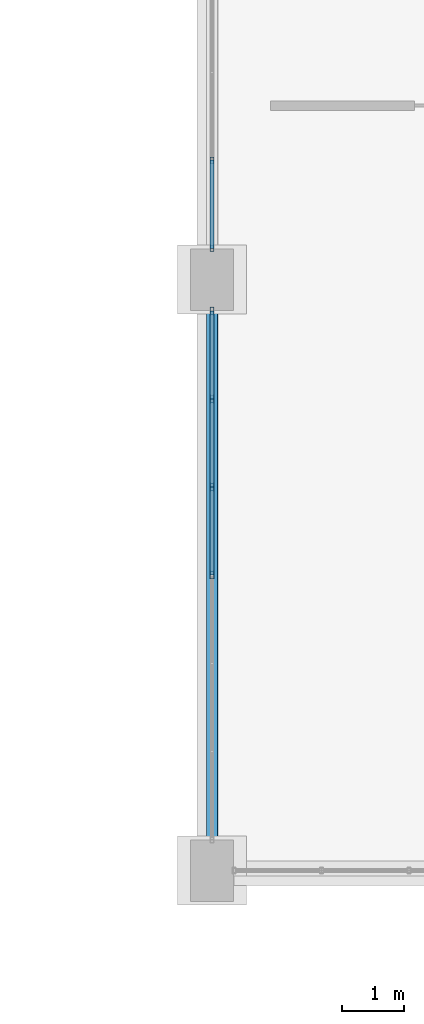
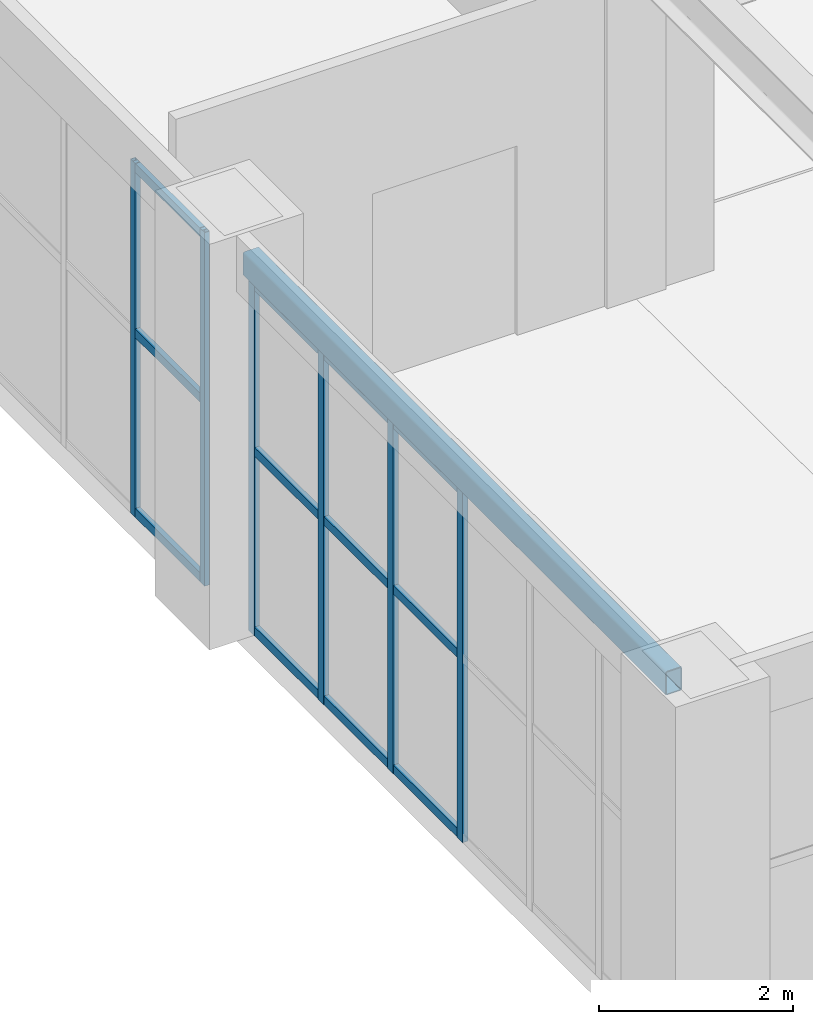
# One storey, part 55 of 174: 18 members, 1 beam, 2 elements without a shape of their own.
"""IFC4 building model written with IfcOpenShell, lengths in metres."""

from ifc_helpers import new_model, si_unit, direction, frame, origin, origin_2d, place, context, subcontext, project, spatial, hollow_rectangle, extrude, material, material_profile, profile_set, type_object, element, aggregate, save


model = new_model("IFC4")

# Units and contexts
model_context = context("Model", 3, precision=1e-05, world=origin(), true_north=direction((0.0, 1.0)))
body_context = subcontext(model_context, "Body", "Model", "MODEL_VIEW")
ifc_project = project(units=[si_unit("LENGTHUNIT", "METRE"), si_unit("AREAUNIT", "SQUARE_METRE"), si_unit("VOLUMEUNIT", "CUBIC_METRE"), si_unit("PLANEANGLEUNIT", "RADIAN"), si_unit("MASSUNIT", "GRAM", prefix="KILO")], contexts=[model_context])

# Site, building, storey
site_placement = place(None, origin())
site = spatial("IfcSite", under=ifc_project, at=site_placement, CompositionType="ELEMENT")
building_placement = place(site_placement, origin())
building = spatial("IfcBuilding", under=site, at=building_placement, Name="Mavantir Sound Aquarium", CompositionType="ELEMENT")
storey_placement = place(building_placement, frame((0.0, 0.0, 5.39990234375)))
storey = spatial("IfcBuildingStorey", under=building, at=storey_placement, Name="L01", CompositionType="ELEMENT", Elevation=5.39990234375)

# Beam
ifc_material_1 = material(Name="Hollow Structural Steel ASTM A500 GrC", Category="steel")
ifc_material_profile_1 = material_profile(ifc_material_1, hollow_rectangle(XDim=0.199951171875, YDim=0.300048828125, WallThickness=0.012451171875, InnerFilletRadius=0.012451171875, OuterFilletRadius=0.02490234375, at=origin_2d()), Name="RHS 300X200X12.5")
ifc_profile_set_1 = profile_set([ifc_material_profile_1], Name="Hollow Structural Steel ASTM A500 GrC")
beam_type = type_object("IfcBeamType", Name="BM-RHS300-E", PredefinedType="SPANDREL", material=ifc_profile_set_1)
beam_placement = place(storey_placement, frame((101.60009765625, 36.449951171875, 4.6259765625), z_axis=(0.0, 1.0, 0.0), x_axis=(-1.0, 0.0, 0.0)))
element("IfcBeam", 1, at=beam_placement, inside=storey, type_object=beam_type, Name="L01 primary girder SS-R30 1283", PredefinedType="SPANDREL", context=body_context, shape_type="SweptSolid", body=[
    extrude(hollow_rectangle(XDim=0.199951171875, YDim=0.300048828125, WallThickness=0.012451171875, InnerFilletRadius=0.012451171875, OuterFilletRadius=0.02490234375, at=origin_2d()), origin(), (0.0, 0.0, 1.0), 8.699951171875),
])

# Curtain wall, members
ifc_material_2 = material(Name="Anodised Marine Aluminium and Low-E Glass", Category="aluminium")
curtain_wall_type_1 = type_object("IfcCurtainWallType", Name="CW-T23", PredefinedType="USERDEFINED", material=ifc_material_2)
curtain_wall_1_placement = place(storey_placement, origin())
curtain_wall_1 = element("IfcCurtainWall", 2, at=curtain_wall_1_placement, inside=storey, type_object=curtain_wall_type_1, Name="L01 unitised curtain wall CW-23 95", ObjectType="UNITISED GLAZING", PredefinedType="USERDEFINED")
ifc_material_3 = material(Name="Anodised Marine Aluminium 6063-T6", Category="aluminium")
ifc_material_profile_2 = material_profile(ifc_material_3, hollow_rectangle(XDim=0.06005859375, YDim=0.10009765625, WallThickness=0.00390625, at=origin_2d()), Name="ALU-MULLION-100X60")
ifc_profile_set_2 = profile_set([ifc_material_profile_2], Name="Anodised Marine Aluminium 6063-T6")
member_type_1 = type_object("IfcMemberType", Name="CW-MUL-100", PredefinedType="MULLION", material=ifc_profile_set_2)
member_1_placement = place(storey_placement, frame((101.60009765625, 47.538818359375, 0.0), z_axis=(0.0, 0.0, 1.0), x_axis=(1.0, 0.0, 0.0)))
member_1 = element("IfcMember", 3, at=member_1_placement, type_object=member_type_1, Name="CW-L01-095 vertical mullion 6", PredefinedType="MULLION", context=body_context, shape_type="SweptSolid", body=[
    extrude(hollow_rectangle(XDim=0.06005859375, YDim=0.10009765625, WallThickness=0.00390625, at=origin_2d()), origin(), (0.0, 0.0, 1.0), 4.446044921875),
])
member_2_placement = place(storey_placement, frame((101.60009765625, 46.10791015625, 0.0), z_axis=(0.0, 0.0, 1.0), x_axis=(1.0, 0.0, 0.0)))
member_2 = element("IfcMember", 4, at=member_2_placement, type_object=member_type_1, Name="CW-L01-095 vertical mullion 7", PredefinedType="MULLION", context=body_context, shape_type="SweptSolid", body=[
    extrude(hollow_rectangle(XDim=0.06005859375, YDim=0.10009765625, WallThickness=0.00390625, at=origin_2d()), origin(), (0.0, 0.0, 1.0), 4.446044921875),
])

curtain_wall_type_2 = type_object("IfcCurtainWallType", Name="CW-T24", PredefinedType="USERDEFINED", material=ifc_material_2)
curtain_wall_2_placement = place(storey_placement, origin())
curtain_wall_2 = element("IfcCurtainWall", 5, at=curtain_wall_2_placement, inside=storey, type_object=curtain_wall_type_2, Name="L01 unitised curtain wall CW-24 96", ObjectType="UNITISED GLAZING", PredefinedType="USERDEFINED")
ifc_material_profile_3 = material_profile(ifc_material_3, hollow_rectangle(XDim=0.06494140625, YDim=0.1201171875, WallThickness=0.00390625, at=origin_2d()), Name="ALU-MULLION-120X65")
ifc_profile_set_3 = profile_set([ifc_material_profile_3], Name="Anodised Marine Aluminium 6063-T6")
member_type_2 = type_object("IfcMemberType", Name="CW-MUL-120", PredefinedType="MULLION", material=ifc_profile_set_3)
member_3_placement = place(storey_placement, frame((101.60009765625, 45.092041015625, 0.0), z_axis=(0.0, 0.0, 1.0), x_axis=(1.0, 0.0, 0.0)))
member_3 = element("IfcMember", 6, at=member_3_placement, type_object=member_type_2, Name="CW-L01-096 vertical mullion 1", PredefinedType="MULLION", context=body_context, shape_type="SweptSolid", body=[
    extrude(hollow_rectangle(XDim=0.06494140625, YDim=0.1201171875, WallThickness=0.00390625, at=origin_2d()), origin(), (0.0, 0.0, 1.0), 4.446044921875),
])
member_4_placement = place(storey_placement, frame((101.60009765625, 43.661376953125, 0.0), z_axis=(0.0, 0.0, 1.0), x_axis=(1.0, 0.0, 0.0)))
member_4 = element("IfcMember", 7, at=member_4_placement, type_object=member_type_2, Name="CW-L01-096 vertical mullion 2", PredefinedType="MULLION", context=body_context, shape_type="SweptSolid", body=[
    extrude(hollow_rectangle(XDim=0.06494140625, YDim=0.1201171875, WallThickness=0.00390625, at=origin_2d()), origin(), (0.0, 0.0, 1.0), 4.446044921875),
])
member_5_placement = place(storey_placement, frame((101.60009765625, 42.230712890625, 0.0), z_axis=(0.0, 0.0, 1.0), x_axis=(1.0, 0.0, 0.0)))
member_5 = element("IfcMember", 8, at=member_5_placement, type_object=member_type_2, Name="CW-L01-096 vertical mullion 3", PredefinedType="MULLION", context=body_context, shape_type="SweptSolid", body=[
    extrude(hollow_rectangle(XDim=0.06494140625, YDim=0.1201171875, WallThickness=0.00390625, at=origin_2d()), origin(), (0.0, 0.0, 1.0), 4.446044921875),
])
member_6_placement = place(storey_placement, frame((101.60009765625, 40.800048828125, 0.0), z_axis=(0.0, 0.0, 1.0), x_axis=(1.0, 0.0, 0.0)))
member_6 = element("IfcMember", 9, at=member_6_placement, type_object=member_type_2, Name="CW-L01-096 vertical mullion 4", PredefinedType="MULLION", context=body_context, shape_type="SweptSolid", body=[
    extrude(hollow_rectangle(XDim=0.06494140625, YDim=0.1201171875, WallThickness=0.00390625, at=origin_2d()), origin(), (0.0, 0.0, 1.0), 4.446044921875),
])

# Member
ifc_material_profile_4 = material_profile(ifc_material_3, hollow_rectangle(XDim=0.06005859375, YDim=0.110107421875, WallThickness=0.00390625, at=origin_2d()), Name="ALU-TRANSOM-110X60")
ifc_profile_set_4 = profile_set([ifc_material_profile_4], Name="Anodised Marine Aluminium 6063-T6")
member_type_3 = type_object("IfcMemberType", Name="CW-TRN-110", PredefinedType="USERDEFINED", material=ifc_profile_set_4)
member_7_placement = place(storey_placement, frame((101.60009765625, 47.538818359375, 0.05517578125), z_axis=(0.0, -1.0, 0.0), x_axis=(1.0, 0.0, 0.0)))
member_7 = element("IfcMember", 10, at=member_7_placement, type_object=member_type_3, Name="CW-L01-095 transom 6.1", ObjectType="TRANSOM", PredefinedType="USERDEFINED", context=body_context, shape_type="SweptSolid", body=[
    extrude(hollow_rectangle(XDim=0.06005859375, YDim=0.110107421875, WallThickness=0.00390625, at=origin_2d()), origin(), (0.0, 0.0, 1.0), 1.430908203125),
])

member_8_placement = place(storey_placement, frame((101.60009765625, 47.538818359375, 2.31201171875), z_axis=(0.0, -1.0, 0.0), x_axis=(1.0, 0.0, 0.0)))
member_8 = element("IfcMember", 11, at=member_8_placement, type_object=member_type_3, Name="CW-L01-095 transom 6.2", ObjectType="TRANSOM", PredefinedType="USERDEFINED", context=body_context, shape_type="SweptSolid", body=[
    extrude(hollow_rectangle(XDim=0.06005859375, YDim=0.110107421875, WallThickness=0.00390625, at=origin_2d()), origin(), (0.0, 0.0, 1.0), 1.430908203125),
])

member_9_placement = place(storey_placement, frame((101.60009765625, 47.538818359375, 4.39111328125), z_axis=(0.0, -1.0, 0.0), x_axis=(1.0, 0.0, 0.0)))
member_9 = element("IfcMember", 12, at=member_9_placement, type_object=member_type_3, Name="CW-L01-095 transom 6.3", ObjectType="TRANSOM", PredefinedType="USERDEFINED", context=body_context, shape_type="SweptSolid", body=[
    extrude(hollow_rectangle(XDim=0.06005859375, YDim=0.110107421875, WallThickness=0.00390625, at=origin_2d()), origin(), (0.0, 0.0, 1.0), 1.430908203125),
])

aggregate(curtain_wall_1, [member_1, member_2, member_7, member_8, member_9])

member_10_placement = place(storey_placement, frame((101.60009765625, 45.092041015625, 0.05517578125), z_axis=(0.0, -1.0, 0.0), x_axis=(1.0, 0.0, 0.0)))
member_10 = element("IfcMember", 13, at=member_10_placement, type_object=member_type_3, Name="CW-L01-096 transom 1.1", ObjectType="TRANSOM", PredefinedType="USERDEFINED", context=body_context, shape_type="SweptSolid", body=[
    extrude(hollow_rectangle(XDim=0.06005859375, YDim=0.110107421875, WallThickness=0.00390625, at=origin_2d()), origin(), (0.0, 0.0, 1.0), 1.4306640625),
])

member_11_placement = place(storey_placement, frame((101.60009765625, 45.092041015625, 2.31201171875), z_axis=(0.0, -1.0, 0.0), x_axis=(1.0, 0.0, 0.0)))
member_11 = element("IfcMember", 14, at=member_11_placement, type_object=member_type_3, Name="CW-L01-096 transom 1.2", ObjectType="TRANSOM", PredefinedType="USERDEFINED", context=body_context, shape_type="SweptSolid", body=[
    extrude(hollow_rectangle(XDim=0.06005859375, YDim=0.110107421875, WallThickness=0.00390625, at=origin_2d()), origin(), (0.0, 0.0, 1.0), 1.4306640625),
])

member_12_placement = place(storey_placement, frame((101.60009765625, 45.092041015625, 4.39111328125), z_axis=(0.0, -1.0, 0.0), x_axis=(1.0, 0.0, 0.0)))
member_12 = element("IfcMember", 15, at=member_12_placement, type_object=member_type_3, Name="CW-L01-096 transom 1.3", ObjectType="TRANSOM", PredefinedType="USERDEFINED", context=body_context, shape_type="SweptSolid", body=[
    extrude(hollow_rectangle(XDim=0.06005859375, YDim=0.110107421875, WallThickness=0.00390625, at=origin_2d()), origin(), (0.0, 0.0, 1.0), 1.4306640625),
])

member_13_placement = place(storey_placement, frame((101.60009765625, 43.661376953125, 0.05517578125), z_axis=(0.0, -1.0, 0.0), x_axis=(1.0, 0.0, 0.0)))
member_13 = element("IfcMember", 16, at=member_13_placement, type_object=member_type_3, Name="CW-L01-096 transom 2.1", ObjectType="TRANSOM", PredefinedType="USERDEFINED", context=body_context, shape_type="SweptSolid", body=[
    extrude(hollow_rectangle(XDim=0.06005859375, YDim=0.110107421875, WallThickness=0.00390625, at=origin_2d()), origin(), (0.0, 0.0, 1.0), 1.4306640625),
])

member_14_placement = place(storey_placement, frame((101.60009765625, 43.661376953125, 2.31201171875), z_axis=(0.0, -1.0, 0.0), x_axis=(1.0, 0.0, 0.0)))
member_14 = element("IfcMember", 17, at=member_14_placement, type_object=member_type_3, Name="CW-L01-096 transom 2.2", ObjectType="TRANSOM", PredefinedType="USERDEFINED", context=body_context, shape_type="SweptSolid", body=[
    extrude(hollow_rectangle(XDim=0.06005859375, YDim=0.110107421875, WallThickness=0.00390625, at=origin_2d()), origin(), (0.0, 0.0, 1.0), 1.4306640625),
])

member_15_placement = place(storey_placement, frame((101.60009765625, 43.661376953125, 4.39111328125), z_axis=(0.0, -1.0, 0.0), x_axis=(1.0, 0.0, 0.0)))
member_15 = element("IfcMember", 18, at=member_15_placement, type_object=member_type_3, Name="CW-L01-096 transom 2.3", ObjectType="TRANSOM", PredefinedType="USERDEFINED", context=body_context, shape_type="SweptSolid", body=[
    extrude(hollow_rectangle(XDim=0.06005859375, YDim=0.110107421875, WallThickness=0.00390625, at=origin_2d()), origin(), (0.0, 0.0, 1.0), 1.4306640625),
])

member_16_placement = place(storey_placement, frame((101.60009765625, 42.230712890625, 0.05517578125), z_axis=(0.0, -1.0, 0.0), x_axis=(1.0, 0.0, 0.0)))
member_16 = element("IfcMember", 19, at=member_16_placement, type_object=member_type_3, Name="CW-L01-096 transom 3.1", ObjectType="TRANSOM", PredefinedType="USERDEFINED", context=body_context, shape_type="SweptSolid", body=[
    extrude(hollow_rectangle(XDim=0.06005859375, YDim=0.110107421875, WallThickness=0.00390625, at=origin_2d()), origin(), (0.0, 0.0, 1.0), 1.4306640625),
])

member_17_placement = place(storey_placement, frame((101.60009765625, 42.230712890625, 2.31201171875), z_axis=(0.0, -1.0, 0.0), x_axis=(1.0, 0.0, 0.0)))
member_17 = element("IfcMember", 20, at=member_17_placement, type_object=member_type_3, Name="CW-L01-096 transom 3.2", ObjectType="TRANSOM", PredefinedType="USERDEFINED", context=body_context, shape_type="SweptSolid", body=[
    extrude(hollow_rectangle(XDim=0.06005859375, YDim=0.110107421875, WallThickness=0.00390625, at=origin_2d()), origin(), (0.0, 0.0, 1.0), 1.4306640625),
])

member_18_placement = place(storey_placement, frame((101.60009765625, 42.230712890625, 4.39111328125), z_axis=(0.0, -1.0, 0.0), x_axis=(1.0, 0.0, 0.0)))
member_18 = element("IfcMember", 21, at=member_18_placement, type_object=member_type_3, Name="CW-L01-096 transom 3.3", ObjectType="TRANSOM", PredefinedType="USERDEFINED", context=body_context, shape_type="SweptSolid", body=[
    extrude(hollow_rectangle(XDim=0.06005859375, YDim=0.110107421875, WallThickness=0.00390625, at=origin_2d()), origin(), (0.0, 0.0, 1.0), 1.4306640625),
])

aggregate(curtain_wall_2, [member_3, member_4, member_5, member_6, member_10, member_11, member_12, member_13, member_14, member_15, member_16, member_17, member_18])

save(model, "model.ifc")
